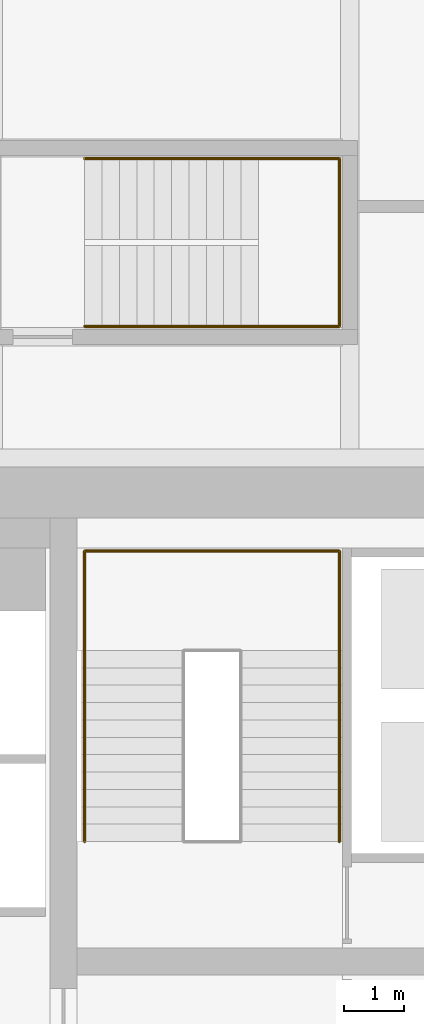
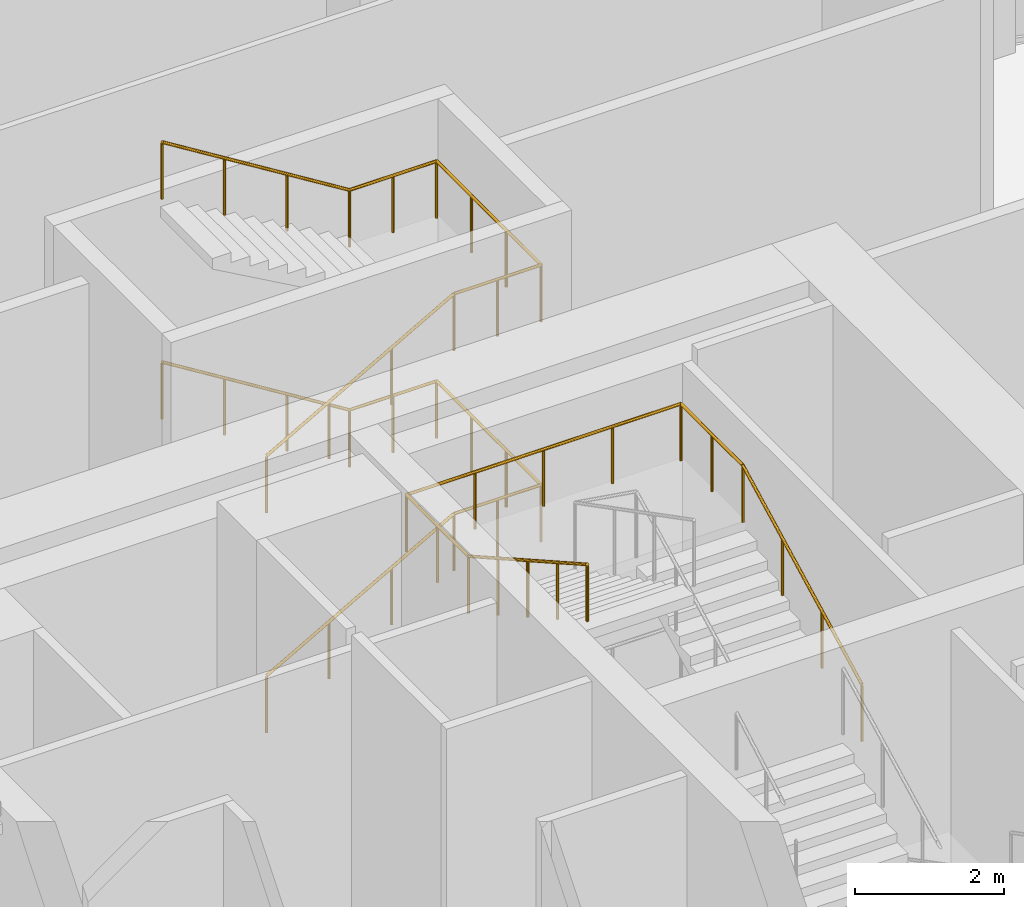
# One storey, part 33 of 34: 3 railings.
"""IFC4 building model written with IfcOpenShell, lengths in metres."""

from ifc_helpers import new_model, si_unit, direction, frame, origin, origin_2d, place, context, subcontext, project, spatial, circle, extrude, material, type_object, element, save


model = new_model("IFC4")

# Units and contexts
model_context = context("Model", 3, precision=1e-05, world=origin(), true_north=direction((0.0, 1.0)))
body_context = subcontext(model_context, "Body", "Model", "MODEL_VIEW")
ifc_project = project(units=[si_unit("LENGTHUNIT", "METRE"), si_unit("AREAUNIT", "SQUARE_METRE"), si_unit("VOLUMEUNIT", "CUBIC_METRE"), si_unit("PLANEANGLEUNIT", "RADIAN"), si_unit("MASSUNIT", "GRAM", prefix="KILO")], contexts=[model_context])

# Site, building, storey
site_placement = place(None, origin())
site = spatial("IfcSite", under=ifc_project, at=site_placement, CompositionType="ELEMENT")
building_placement = place(site_placement, origin())
building = spatial("IfcBuilding", under=site, at=building_placement, Name="Marenta Gate Hotel Tower", CompositionType="ELEMENT")
storey_placement = place(building_placement, frame((0.0, 0.0, 97.699951171875)))
storey = spatial("IfcBuildingStorey", under=building, at=storey_placement, Name="L21", CompositionType="ELEMENT", Elevation=97.699951171875)

# Railings
ifc_material = material(Name="Stainless steel", Category="steel")
railing_type = type_object("IfcRailingType", Name="Core stair handrail 950", PredefinedType="HANDRAIL", material=ifc_material)
railing_1_placement = place(storey_placement, frame((8.800048828125, 10.39990234375, 3.75)))
element("IfcRailing", 1, at=railing_1_placement, inside=storey, type_object=railing_type, Name="HR-950 L21-KR-ST4-3", PredefinedType="HANDRAIL", context=body_context, shape_type="SweptSolid", body=[
    extrude(circle(Radius=0.02392578125, at=origin_2d()), frame((0.0, 0.0, 0.92578125), z_axis=(0.0, 0.888211904222, 0.459434013977), x_axis=(-1.0, 0.0, 0.0)), (0.0, 0.0, 1.0), 3.591796875),
    extrude(circle(Radius=0.02392578125, at=origin_2d()), frame((0.0, 3.190185546875, 2.576171875), z_axis=(0.0, 1.0, 0.0), x_axis=(-1.0, 0.0, 0.0)), (0.0, 0.0, 1.0), 1.659912109375),
    extrude(circle(Radius=0.02392578125, at=origin_2d()), frame((0.0, 4.85009765625, 2.576171875), z_axis=(-1.0, 0.0, 0.0), x_axis=(0.0, -1.0, 0.0)), (0.0, 0.0, 1.0), 4.25),
    extrude(circle(Radius=0.02392578125, at=origin_2d()), frame((-4.25, 4.85009765625, 2.576171875), z_axis=(0.0, -1.0, 0.0), x_axis=(1.0, 0.0, 0.0)), (0.0, 0.0, 1.0), 1.659912109375),
    extrude(circle(Radius=0.02392578125, at=origin_2d()), frame((-4.25, 3.190185546875, 2.576171875), z_axis=(0.0, -0.870953600603, 0.491365266982), x_axis=(1.0, 0.0, 0.0)), (0.0, 0.0, 1.0), 3.662841796875),
    extrude(circle(Radius=0.02099609375, at=origin_2d()), origin(), (0.0, 0.0, 1.0), 0.90185546875),
    extrude(circle(Radius=0.02099609375, at=origin_2d()), frame((0.0, 1.0634765625, 0.550048828125)), (0.0, 0.0, 1.0), 0.90185546875),
    extrude(circle(Radius=0.02099609375, at=origin_2d()), frame((0.0, 2.126708984375, 1.10009765625)), (0.0, 0.0, 1.0), 0.90185546875),
    extrude(circle(Radius=0.02099609375, at=origin_2d()), frame((0.0, 3.190185546875, 1.650146484375)), (0.0, 0.0, 1.0), 0.90185546875),
    extrude(circle(Radius=0.02099609375, at=origin_2d()), frame((0.0, 4.02001953125, 1.650146484375)), (0.0, 0.0, 1.0), 0.90185546875),
    extrude(circle(Radius=0.02099609375, at=origin_2d()), frame((0.0, 4.85009765625, 1.650146484375)), (0.0, 0.0, 1.0), 0.90185546875),
    extrude(circle(Radius=0.02099609375, at=origin_2d()), frame((-1.0625, 4.85009765625, 1.650146484375)), (0.0, 0.0, 1.0), 0.90185546875),
    extrude(circle(Radius=0.02099609375, at=origin_2d()), frame((-2.125, 4.85009765625, 1.650146484375)), (0.0, 0.0, 1.0), 0.90185546875),
    extrude(circle(Radius=0.02099609375, at=origin_2d()), frame((-3.1875, 4.85009765625, 1.650146484375)), (0.0, 0.0, 1.0), 0.90185546875),
    extrude(circle(Radius=0.02099609375, at=origin_2d()), frame((-4.25, 4.85009765625, 1.650146484375)), (0.0, 0.0, 1.0), 0.90185546875),
    extrude(circle(Radius=0.02099609375, at=origin_2d()), frame((-4.25, 4.02001953125, 1.650146484375)), (0.0, 0.0, 1.0), 0.90185546875),
    extrude(circle(Radius=0.02099609375, at=origin_2d()), frame((-4.25, 3.190185546875, 1.650146484375)), (0.0, 0.0, 1.0), 0.90185546875),
    extrude(circle(Radius=0.02099609375, at=origin_2d()), frame((-4.25, 2.392578125, 2.10009765625)), (0.0, 0.0, 1.0), 0.90185546875),
    extrude(circle(Radius=0.02099609375, at=origin_2d()), frame((-4.25, 1.59521484375, 2.550048828125)), (0.0, 0.0, 1.0), 0.90185546875),
    extrude(circle(Radius=0.02099609375, at=origin_2d()), frame((-4.25, 0.797607421875, 3.0)), (0.0, 0.0, 1.0), 0.90185546875),
    extrude(circle(Radius=0.02099609375, at=origin_2d()), frame((-4.25, 0.0, 3.449951171875)), (0.0, 0.0, 1.0), 0.90185546875),
])
railing_2_placement = place(storey_placement, frame((4.550048828125, 19.0, 0.16357421875)))
element("IfcRailing", 2, at=railing_2_placement, inside=storey, type_object=railing_type, Name="HR-950 L21-RS-Z2-4-KR-1", PredefinedType="HANDRAIL", context=body_context, shape_type="SweptSolid", body=[
    extrude(circle(Radius=0.02392578125, at=origin_2d()), frame((0.0, 0.0, 0.92578125), z_axis=(0.870897200241, 0.0, 0.491465224214), x_axis=(0.0, 1.0, 0.0)), (0.0, 0.0, 1.0), 3.329833984375),
    extrude(circle(Radius=0.02392578125, at=origin_2d()), frame((2.89990234375, 0.0, 2.5625), z_axis=(1.0, 0.0, 0.0), x_axis=(0.0, 1.0, 0.0)), (0.0, 0.0, 1.0), 1.35009765625),
    extrude(circle(Radius=0.02392578125, at=origin_2d()), frame((4.25, 0.0, 2.5625), z_axis=(0.0, 1.0, 0.0), x_axis=(-1.0, 0.0, 0.0)), (0.0, 0.0, 1.0), 2.800048828125),
    extrude(circle(Radius=0.02392578125, at=origin_2d()), frame((4.25, 2.800048828125, 2.5625), z_axis=(-1.0, 0.0, 0.0), x_axis=(0.0, -1.0, 0.0)), (0.0, 0.0, 1.0), 1.35009765625),
    extrude(circle(Radius=0.02392578125, at=origin_2d()), frame((2.89990234375, 2.800048828125, 2.5625), z_axis=(-0.849625798611, 0.0, 0.527386008853), x_axis=(0.0, -1.0, 0.0)), (0.0, 0.0, 1.0), 3.4130859375),
    extrude(circle(Radius=0.02099609375, at=origin_2d()), origin(), (0.0, 0.0, 1.0), 0.90185546875),
    extrude(circle(Radius=0.02099609375, at=origin_2d()), frame((0.966552734375, 0.0, 0.54541015625)), (0.0, 0.0, 1.0), 0.90185546875),
    extrude(circle(Radius=0.02099609375, at=origin_2d()), frame((1.933349609375, 0.0, 1.091064453125)), (0.0, 0.0, 1.0), 0.90185546875),
    extrude(circle(Radius=0.02099609375, at=origin_2d()), frame((2.89990234375, 0.0, 1.636474609375)), (0.0, 0.0, 1.0), 0.90185546875),
    extrude(circle(Radius=0.02099609375, at=origin_2d()), frame((3.574951171875, 0.0, 1.636474609375)), (0.0, 0.0, 1.0), 0.90185546875),
    extrude(circle(Radius=0.02099609375, at=origin_2d()), frame((4.25, 0.0, 1.636474609375)), (0.0, 0.0, 1.0), 0.90185546875),
    extrude(circle(Radius=0.02099609375, at=origin_2d()), frame((4.25, 0.933349609375, 1.636474609375)), (0.0, 0.0, 1.0), 0.90185546875),
    extrude(circle(Radius=0.02099609375, at=origin_2d()), frame((4.25, 1.86669921875, 1.636474609375)), (0.0, 0.0, 1.0), 0.90185546875),
    extrude(circle(Radius=0.02099609375, at=origin_2d()), frame((4.25, 2.800048828125, 1.636474609375)), (0.0, 0.0, 1.0), 0.90185546875),
    extrude(circle(Radius=0.02099609375, at=origin_2d()), frame((3.574951171875, 2.800048828125, 1.636474609375)), (0.0, 0.0, 1.0), 0.90185546875),
    extrude(circle(Radius=0.02099609375, at=origin_2d()), frame((2.89990234375, 2.800048828125, 1.636474609375)), (0.0, 0.0, 1.0), 0.90185546875),
    extrude(circle(Radius=0.02099609375, at=origin_2d()), frame((1.933349609375, 2.800048828125, 2.236572265625)), (0.0, 0.0, 1.0), 0.90185546875),
    extrude(circle(Radius=0.02099609375, at=origin_2d()), frame((0.966552734375, 2.800048828125, 2.83642578125)), (0.0, 0.0, 1.0), 0.90185546875),
    extrude(circle(Radius=0.02099609375, at=origin_2d()), frame((0.0, 2.800048828125, 3.4365234375)), (0.0, 0.0, 1.0), 0.90185546875),
])
railing_3_placement = place(storey_placement, frame((4.550048828125, 19.0, 3.763671875)))
element("IfcRailing", 3, at=railing_3_placement, inside=storey, type_object=railing_type, Name="HR-950 L21-RS-Z2-4-KR-2", PredefinedType="HANDRAIL", context=body_context, shape_type="SweptSolid", body=[
    extrude(circle(Radius=0.02392578125, at=origin_2d()), frame((0.0, 0.0, 0.92578125), z_axis=(0.870897200241, 0.0, 0.491465224214), x_axis=(0.0, 1.0, 0.0)), (0.0, 0.0, 1.0), 3.329833984375),
    extrude(circle(Radius=0.02392578125, at=origin_2d()), frame((2.89990234375, 0.0, 2.5625), z_axis=(1.0, 0.0, 0.0), x_axis=(0.0, 1.0, 0.0)), (0.0, 0.0, 1.0), 1.35009765625),
    extrude(circle(Radius=0.02392578125, at=origin_2d()), frame((4.25, 0.0, 2.5625), z_axis=(0.0, 1.0, 0.0), x_axis=(-1.0, 0.0, 0.0)), (0.0, 0.0, 1.0), 2.800048828125),
    extrude(circle(Radius=0.02392578125, at=origin_2d()), frame((4.25, 2.800048828125, 2.5625), z_axis=(-1.0, 0.0, 0.0), x_axis=(0.0, -1.0, 0.0)), (0.0, 0.0, 1.0), 1.35009765625),
    extrude(circle(Radius=0.02392578125, at=origin_2d()), frame((2.89990234375, 2.800048828125, 2.5625), z_axis=(-0.849657849183, 0.0, 0.527334371458), x_axis=(0.0, -1.0, 0.0)), (0.0, 0.0, 1.0), 3.4130859375),
    extrude(circle(Radius=0.02099609375, at=origin_2d()), origin(), (0.0, 0.0, 1.0), 0.90185546875),
    extrude(circle(Radius=0.02099609375, at=origin_2d()), frame((0.966552734375, 0.0, 0.54541015625)), (0.0, 0.0, 1.0), 0.90185546875),
    extrude(circle(Radius=0.02099609375, at=origin_2d()), frame((1.933349609375, 0.0, 1.091064453125)), (0.0, 0.0, 1.0), 0.90185546875),
    extrude(circle(Radius=0.02099609375, at=origin_2d()), frame((2.89990234375, 0.0, 1.636474609375)), (0.0, 0.0, 1.0), 0.90185546875),
    extrude(circle(Radius=0.02099609375, at=origin_2d()), frame((3.574951171875, 0.0, 1.636474609375)), (0.0, 0.0, 1.0), 0.90185546875),
    extrude(circle(Radius=0.02099609375, at=origin_2d()), frame((4.25, 0.0, 1.636474609375)), (0.0, 0.0, 1.0), 0.90185546875),
    extrude(circle(Radius=0.02099609375, at=origin_2d()), frame((4.25, 0.933349609375, 1.636474609375)), (0.0, 0.0, 1.0), 0.90185546875),
    extrude(circle(Radius=0.02099609375, at=origin_2d()), frame((4.25, 1.86669921875, 1.636474609375)), (0.0, 0.0, 1.0), 0.90185546875),
    extrude(circle(Radius=0.02099609375, at=origin_2d()), frame((4.25, 2.800048828125, 1.636474609375)), (0.0, 0.0, 1.0), 0.90185546875),
    extrude(circle(Radius=0.02099609375, at=origin_2d()), frame((3.574951171875, 2.800048828125, 1.636474609375)), (0.0, 0.0, 1.0), 0.90185546875),
    extrude(circle(Radius=0.02099609375, at=origin_2d()), frame((2.89990234375, 2.800048828125, 1.636474609375)), (0.0, 0.0, 1.0), 0.90185546875),
    extrude(circle(Radius=0.02099609375, at=origin_2d()), frame((1.933349609375, 2.800048828125, 2.236328125)), (0.0, 0.0, 1.0), 0.90185546875),
    extrude(circle(Radius=0.02099609375, at=origin_2d()), frame((0.966552734375, 2.800048828125, 2.83642578125)), (0.0, 0.0, 1.0), 0.90185546875),
    extrude(circle(Radius=0.02099609375, at=origin_2d()), frame((0.0, 2.800048828125, 3.436279296875)), (0.0, 0.0, 1.0), 0.90185546875),
])

save(model, "model.ifc")
